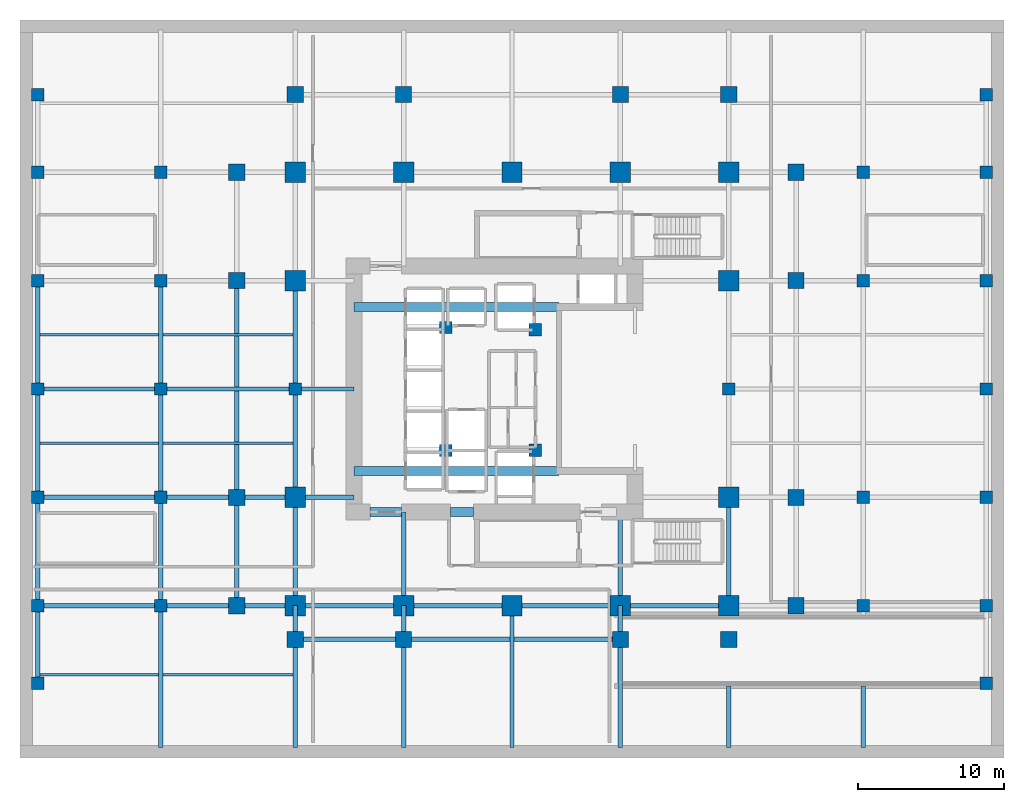
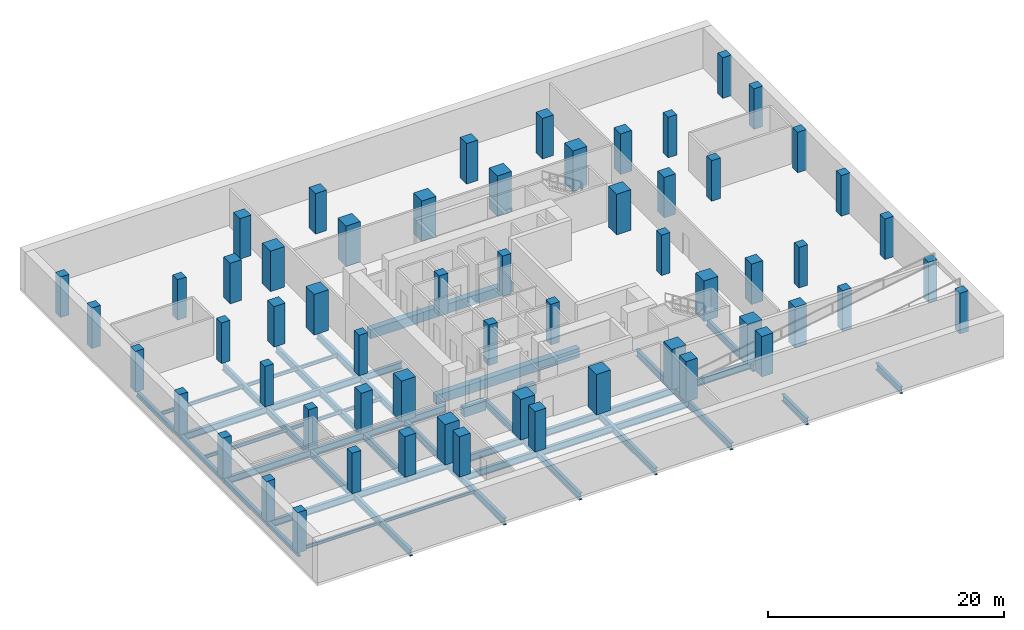
# One storey, part 1 of 7: 59 columns, 51 beams.
"""IFC4 building model written with IfcOpenShell, lengths in metres."""

import ifcopenshell
import ifcopenshell.guid

model = None  # the IFC model being written
_history = None  # IfcOwnerHistory: only IFC2X3 demands one
_inside = {}  # id of a spatial element -> (the spatial element, [elements in it])
_under = {}  # id of a project, library or spatial element -> (it, [spatial elements below it])
_declared = {}  # id of a project -> (the project, [libraries it declares])
_typed = {}  # id of a type object -> (the type object, [elements of that type])
_made_of = {}  # id of a material, layer set ... -> (it, [elements and type objects made of it])


def new_model(schema):
    """Start an empty IFC model of exactly this schema.

    Asked for "IFC4X3", IfcOpenShell would pick the latest addendum, in which some entities
    have other attributes; the version numbers below select the first issue.
    IFC2X3 requires an IfcOwnerHistory on every rooted entity: one is made here for all.
    """
    global model, _history
    if schema == "IFC4X3":
        model = ifcopenshell.file(schema_version=(4, 3, 0, 0))
    else:
        model = ifcopenshell.file(schema=schema)
    _inside.clear()
    _under.clear()
    _declared.clear()
    _typed.clear()
    _made_of.clear()
    _history = None
    if model.schema == "IFC2X3":
        org = make("IfcOrganization", Name="unknown")
        user = make(
            "IfcPersonAndOrganization",
            ThePerson=make("IfcPerson", FamilyName="unknown"),
            TheOrganization=org,
        )
        app = make(
            "IfcApplication",
            ApplicationDeveloper=org,
            Version="unknown",
            ApplicationFullName="unknown",
            ApplicationIdentifier="unknown",
        )
        _history = make(
            "IfcOwnerHistory",
            OwningUser=user,
            OwningApplication=app,
            ChangeAction="ADDED",
            CreationDate=0,
        )
    return model


def make(cls, **values):
    """One entity of the class cls with the attributes given. An attribute that is None is left unset."""
    return model.create_entity(
        cls, **{name: value for name, value in values.items() if value is not None}
    )


def rooted(cls, **values):
    """An entity with a GlobalId (a new one), such as an element, a storey or a relation."""
    return make(cls, GlobalId=ifcopenshell.guid.new(), OwnerHistory=_history, **values)


def si_unit(unit_type, name, prefix=None):
    """IfcSIUnit, for example si_unit("LENGTHUNIT", "METRE", prefix="MILLI")."""
    return make("IfcSIUnit", UnitType=unit_type, Prefix=prefix, Name=name)


def assignment(units):
    """IfcUnitAssignment: the units of a project."""
    return None if units is None else make("IfcUnitAssignment", Units=units)


def point(xyz):
    """IfcCartesianPoint."""
    return None if xyz is None else make("IfcCartesianPoint", Coordinates=xyz)


def direction(xyz):
    """IfcDirection."""
    return None if xyz is None else make("IfcDirection", DirectionRatios=xyz)


def frame(location, z_axis=None, x_axis=None):
    """IfcAxis2Placement3D, a coordinate frame: its origin and axes. An axis left out is left unset."""
    return make(
        "IfcAxis2Placement3D",
        Location=point(location),
        Axis=direction(z_axis),
        RefDirection=direction(x_axis),
    )


def frame_2d(location, x_axis=None):
    """IfcAxis2Placement2D, a coordinate frame in the plane: its origin and x axis."""
    return make(
        "IfcAxis2Placement2D", Location=point(location), RefDirection=direction(x_axis)
    )


def origin():
    """The frame at (0, 0, 0) with its axes left unset."""
    return frame((0.0, 0.0, 0.0))


def origin_2d():
    """The frame at (0, 0) in the plane with its x axis left unset."""
    return frame_2d((0.0, 0.0))


def place(relative_to, where):
    """IfcLocalPlacement: puts the frame where relative to a parent placement (None: the world)."""
    return make(
        "IfcLocalPlacement", PlacementRelTo=relative_to, RelativePlacement=where
    )


def context(
    kind, dimensions, precision=None, world=None, true_north=None, identifier=None
):
    """IfcGeometricRepresentationContext, for example the 3D "Model" context."""
    return make(
        "IfcGeometricRepresentationContext",
        ContextIdentifier=identifier,
        ContextType=kind,
        CoordinateSpaceDimension=dimensions,
        Precision=precision,
        WorldCoordinateSystem=world,
        TrueNorth=true_north,
    )


def subcontext(parent, identifier, kind, view, scale=None):
    """IfcGeometricRepresentationSubContext, for example "Body" below "Model"."""
    return make(
        "IfcGeometricRepresentationSubContext",
        ContextIdentifier=identifier,
        ContextType=kind,
        ParentContext=parent,
        TargetScale=scale,
        TargetView=view,
    )


def project(units=None, contexts=None):
    """IfcProject with its units and contexts."""
    return rooted(
        "IfcProject",
        Name="project",
        RepresentationContexts=contexts,
        UnitsInContext=assignment(units),
    )


def spatial(cls, under=None, at=None, **own):
    """A site, building, storey or space (cls), placed at a placement, below another one or the project."""
    s = rooted(cls, ObjectPlacement=at, **own)
    if under is not None:
        _under.setdefault(under.id(), (under, []))[1].append(s)
    return s


def profile(cls, at=None, kind="AREA", **sizes):
    """A parametric profile (cls). Its sizes go by their IFC names, for example OverallWidth=200.0."""
    return make(cls, ProfileType=kind, Position=at, **sizes)


def rectangle(**sizes):
    """IfcRectangleProfileDef."""
    return profile("IfcRectangleProfileDef", **sizes)


def i_section(**sizes):
    """IfcIShapeProfileDef."""
    return profile("IfcIShapeProfileDef", **sizes)


def extrude(swept, where, along, depth):
    """IfcExtrudedAreaSolid: the profile swept, set in the frame where, extruded along a direction by depth."""
    return make(
        "IfcExtrudedAreaSolid",
        SweptArea=swept,
        Position=where,
        ExtrudedDirection=direction(along),
        Depth=depth,
    )


def shape(context_of_items, identifier, shape_type, items):
    """IfcShapeRepresentation: the items that make up one representation, for example the "Body"."""
    return make(
        "IfcShapeRepresentation",
        ContextOfItems=context_of_items,
        RepresentationIdentifier=identifier,
        RepresentationType=shape_type,
        Items=items,
    )


def material(Name=None, Category=None):
    """IfcMaterial."""
    return make("IfcMaterial", Name=Name, Category=Category)


def material_profile(
    of_material, cross_section, Name=None, Category=None, Priority=None
):
    """IfcMaterialProfile: a cross section and its material."""
    return make(
        "IfcMaterialProfile",
        Name=Name,
        Material=of_material,
        Profile=cross_section,
        Priority=Priority,
        Category=Category,
    )


def profile_set(profiles, Name=None, composite=None):
    """IfcMaterialProfileSet."""
    return make(
        "IfcMaterialProfileSet",
        Name=Name,
        MaterialProfiles=profiles,
        CompositeProfile=composite,
    )


def made_of(thing, what):
    """Note that an element or type object is made of a material, layer set ...; save() writes the relation."""
    if what is not None:
        _made_of.setdefault(what.id(), (what, []))[1].append(thing)
    return thing


def type_object(cls, material=None, **own):
    """A type object (cls), such as IfcWallType, which elements share."""
    return made_of(rooted(cls, **own), material)


def element(
    cls,
    number,
    at=None,
    inside=None,
    cuts=None,
    type_object=None,
    material=None,
    context=None,
    identifier="Body",
    shape_type=None,
    held_by="IfcProductDefinitionShape",
    body=None,
    shapes=None,
    **own,
):
    """One element of the class cls, such as IfcWall. Its Tag is "e" and its number.

    at: its placement. inside: the storey or other place that contains it. cuts: it is an
    opening in that element (IfcRelVoidsElement). A single representation is given by context,
    identifier, shape_type and body (its items); several are given by shapes. held_by: the class
    of the entity that holds the representations. save() writes the other relations.
    """
    e = rooted(cls, Tag="e%d" % number, ObjectPlacement=at, **own)
    if body is not None:
        shapes = [shape(context, identifier, shape_type, body)]
    if shapes is not None:
        e.Representation = make(held_by, Representations=shapes)
    if inside is not None:
        _inside.setdefault(inside.id(), (inside, []))[1].append(e)
    if cuts is not None:
        rooted(
            "IfcRelVoidsElement", RelatingBuildingElement=cuts, RelatedOpeningElement=e
        )
    if type_object is not None:
        _typed.setdefault(type_object.id(), (type_object, []))[1].append(e)
    return made_of(e, material)


def aggregate(whole, parts):
    """IfcRelAggregates: a whole, such as a stair, and the parts it consists of."""
    return rooted("IfcRelAggregates", RelatingObject=whole, RelatedObjects=parts)


def save(model, path):
    """Write the relations noted so far, then the file.

    IfcRelAggregates (storeys below a building ...), IfcRelContainedInSpatialStructure (elements
    in a storey), IfcRelDefinesByType, IfcRelAssociatesMaterial and IfcRelDeclares: one each for
    every whole, place, type object, material and project.
    """
    for whole, parts in _under.values():
        aggregate(whole, parts)
    for where, things in _inside.values():
        rooted(
            "IfcRelContainedInSpatialStructure",
            RelatedElements=things,
            RelatingStructure=where,
        )
    for kind, things in _typed.values():
        rooted("IfcRelDefinesByType", RelatedObjects=things, RelatingType=kind)
    for what, things in _made_of.values():
        rooted("IfcRelAssociatesMaterial", RelatedObjects=things, RelatingMaterial=what)
    for by, libraries in _declared.values():
        rooted("IfcRelDeclares", RelatingContext=by, RelatedDefinitions=libraries)
    model.write(path)


model = new_model("IFC4")

# Units and contexts
model_context = context("Model", 3, precision=1e-05, world=origin(), true_north=direction((0.0, 1.0)))
body_context = subcontext(model_context, "Body", "Model", "MODEL_VIEW")
ifc_project = project(units=[si_unit("LENGTHUNIT", "METRE"), si_unit("AREAUNIT", "SQUARE_METRE"), si_unit("VOLUMEUNIT", "CUBIC_METRE"), si_unit("PLANEANGLEUNIT", "RADIAN"), si_unit("MASSUNIT", "GRAM", prefix="KILO")], contexts=[model_context])

# Site, building, storey
site_placement = place(None, origin())
site = spatial("IfcSite", under=ifc_project, at=site_placement, CompositionType="ELEMENT")
building_placement = place(site_placement, origin())
building = spatial("IfcBuilding", under=site, at=building_placement, Name="Khorvyn Point Tower", CompositionType="ELEMENT")
storey_placement = place(building_placement, frame((0.0, 0.0, -4.199951171875)))
storey = spatial("IfcBuildingStorey", under=building, at=storey_placement, Name="B1", CompositionType="ELEMENT", Elevation=-4.199951171875)

# Columns
ifc_material_1 = material(Name="Concrete C40/50", Category="concrete")
ifc_material_profile_1 = material_profile(ifc_material_1, rectangle(XDim=0.85009765625, YDim=0.85009765625, at=origin_2d()))
ifc_profile_set_1 = profile_set([ifc_material_profile_1], Name="Concrete C40/50 RC850x850")
column_type_1 = type_object("IfcColumnType", Name="Concrete C40/50 Column RC850x850", PredefinedType="COLUMN", material=ifc_profile_set_1)
for number, where, z_axis, x_axis, name in (
    (1, (-4.52001953125, -4.199951171875, 0.0), (0.0, 0.0, 1.0), (1.0, 0.0, 0.0), "B1 Crown Core Spine Column 1"),
    (2, (1.580078125, -4.179931640625, 0.0), (0.0, 0.0, 1.0), (1.0, 0.0, 0.0), "B1 Crown Core Spine Column 2"),
    (3, (1.580078125, 4.050048828125, 0.0), (0.0, 0.0, 1.0), (1.0, 0.0, 0.0), "B1 Crown Core Spine Column 3"),
    (4, (-4.52001953125, 4.199951171875, 0.0), (0.0, 0.0, 1.0), (1.0, 0.0, 0.0), "B1 Crown Core Spine Column 4"),
    (5, (-32.39990234375, -14.800048828125, 0.0), (0.0, 0.0, 1.0), (1.0, 0.0, 0.0), "PC-B1--324--148"),
    (6, (-32.39990234375, -7.39990234375, 0.0), (0.0, 0.0, 1.0), (1.0, 0.0, 0.0), "PC-B1--324--074"),
    (7, (-32.39990234375, 0.0, 0.0), (0.0, 0.0, 1.0), (1.0, 0.0, 0.0), "PC-B1--324-+000"),
    (8, (-32.39990234375, 7.39990234375, 0.0), (0.0, 0.0, 1.0), (1.0, 0.0, 0.0), "PC-B1--324-+074"),
    (9, (-32.39990234375, 14.800048828125, 0.0), (0.0, 0.0, 1.0), (1.0, 0.0, 0.0), "PC-B1--324-+148"),
    (10, (-24.0, -14.800048828125, 0.0), (0.0, 0.0, 1.0), (1.0, 0.0, 0.0), "PC-B1--240--148"),
    (11, (-24.0, -7.39990234375, 0.0), (0.0, 0.0, 1.0), (1.0, 0.0, 0.0), "PC-B1--240--074"),
    (12, (-24.0, 0.0, 0.0), (0.0, 0.0, 1.0), (1.0, 0.0, 0.0), "PC-B1--240-+000"),
    (13, (-24.0, 7.39990234375, 0.0), (0.0, 0.0, 1.0), (1.0, 0.0, 0.0), "PC-B1--240-+074"),
    (14, (-24.0, 14.800048828125, 0.0), (0.0, 0.0, 1.0), (1.0, 0.0, 0.0), "PC-B1--240-+148"),
    (15, (-14.800048828125, 0.0, 0.0), (0.0, 0.0, 1.0), (1.0, 0.0, 0.0), "PC-B1--148-+000"),
    (16, (14.800048828125, 0.0, 0.0), (0.0, 0.0, 1.0), (1.0, 0.0, 0.0), "PC-B1-+148-+000"),
    (17, (24.0, -14.800048828125, 0.0), (0.0, 0.0, 1.0), (1.0, 0.0, 0.0), "PC-B1-+240--148"),
    (18, (24.0, -7.39990234375, 0.0), (0.0, 0.0, 1.0), (1.0, 0.0, 0.0), "PC-B1-+240--074"),
    (19, (24.0, 7.39990234375, 0.0), (0.0, 0.0, 1.0), (1.0, 0.0, 0.0), "PC-B1-+240-+074"),
    (20, (24.0, 14.800048828125, 0.0), (0.0, 0.0, 1.0), (1.0, 0.0, 0.0), "PC-B1-+240-+148"),
    (21, (32.39990234375, -14.800048828125, 0.0), (0.0, 0.0, 1.0), (1.0, 0.0, 0.0), "PC-B1-+324--148"),
    (22, (32.39990234375, -7.39990234375, 0.0), (0.0, 0.0, 1.0), (1.0, 0.0, 0.0), "PC-B1-+324--074"),
    (23, (32.39990234375, 0.0, 0.0), (0.0, 0.0, 1.0), (1.0, 0.0, 0.0), "PC-B1-+324-+000"),
    (24, (32.39990234375, 7.39990234375, 0.0), (0.0, 0.0, 1.0), (1.0, 0.0, 0.0), "PC-B1-+324-+074"),
    (25, (32.39990234375, 14.800048828125, 0.0), (0.0, 0.0, 1.0), (1.0, 0.0, 0.0), "PC-B1-+324-+148"),
    (26, (-32.39990234375, -20.10009765625, 0.0), (0.0, 0.0, 1.0), (1.0, 0.0, 0.0), "PCR-B1--32--20"),
    (27, (-32.39990234375, 20.10009765625, 0.0), (0.0, 0.0, 1.0), (1.0, 0.0, 0.0), "PCR-B1--32-+20"),
    (28, (32.39990234375, -20.10009765625, 0.0), (0.0, 0.0, 1.0), (1.0, 0.0, 0.0), "PCR-B1-+32--20"),
    (29, (32.39990234375, 20.10009765625, 0.0), (0.0, 0.0, 1.0), (1.0, 0.0, 0.0), "PCR-B1-+32-+20"),
):
    element("IfcColumn", number, at=place(storey_placement, frame(where, z_axis=z_axis, x_axis=x_axis)), inside=storey, type_object=column_type_1, Name=name, PredefinedType="COLUMN", context=body_context, shape_type="SweptSolid", body=[
        extrude(rectangle(XDim=0.85009765625, YDim=0.85009765625, at=origin_2d()), origin(), (0.0, 0.0, 1.0), 4.199951171875),
    ])
ifc_material_2 = material(Name="Concrete C45/55", Category="concrete")
ifc_material_profile_2 = material_profile(ifc_material_2, rectangle(XDim=1.10009765625, YDim=1.10009765625, at=origin_2d()))
ifc_profile_set_2 = profile_set([ifc_material_profile_2], Name="Concrete C45/55 RC1100x1100")
column_type_2 = type_object("IfcColumnType", Name="Concrete C45/55 Column RC1100x1100", PredefinedType="COLUMN", material=ifc_profile_set_2)
for number, where, z_axis, x_axis, name in (
    (30, (-18.800048828125, -14.800048828125, 0.0), (0.0, 0.0, 1.0), (1.0, 0.0, 0.0), "B1 Intermediate Column ICW--14"),
    (31, (-18.800048828125, -7.39990234375, 0.0), (0.0, 0.0, 1.0), (1.0, 0.0, 0.0), "B1 Intermediate Column ICW--7"),
    (32, (-18.800048828125, 7.39990234375, 0.0), (0.0, 0.0, 1.0), (1.0, 0.0, 0.0), "B1 Intermediate Column ICW-7"),
    (33, (-18.800048828125, 14.800048828125, 0.0), (0.0, 0.0, 1.0), (1.0, 0.0, 0.0), "B1 Intermediate Column ICW-14"),
    (34, (19.39990234375, -14.800048828125, 0.0), (0.0, 0.0, 1.0), (1.0, 0.0, 0.0), "B1 Intermediate Column ICE--14"),
    (35, (19.39990234375, -7.39990234375, 0.0), (0.0, 0.0, 1.0), (1.0, 0.0, 0.0), "B1 Intermediate Column ICE--7"),
    (36, (19.39990234375, 7.39990234375, 0.0), (0.0, 0.0, 1.0), (1.0, 0.0, 0.0), "B1 Intermediate Column ICE-7"),
    (37, (19.39990234375, 14.800048828125, 0.0), (0.0, 0.0, 1.0), (1.0, 0.0, 0.0), "B1 Intermediate Column ICE-14"),
    (38, (-14.800048828125, -17.10009765625, 0.0), (0.0, 0.0, 1.0), (1.0, 0.0, 0.0), "B1 Intermediate Column ICS--14"),
    (39, (-7.39990234375, -17.10009765625, 0.0), (0.0, 0.0, 1.0), (1.0, 0.0, 0.0), "B1 Intermediate Column ICS--7"),
    (40, (7.39990234375, -17.10009765625, 0.0), (0.0, 0.0, 1.0), (1.0, 0.0, 0.0), "B1 Intermediate Column ICS-7"),
    (41, (14.800048828125, -17.10009765625, 0.0), (0.0, 0.0, 1.0), (1.0, 0.0, 0.0), "B1 Intermediate Column ICS-14"),
    (42, (-14.800048828125, 20.10009765625, 0.0), (0.0, 0.0, 1.0), (1.0, 0.0, 0.0), "B1 Intermediate Column ICN--14"),
    (43, (-7.39990234375, 20.10009765625, 0.0), (0.0, 0.0, 1.0), (1.0, 0.0, 0.0), "B1 Intermediate Column ICN--7"),
    (44, (7.39990234375, 20.10009765625, 0.0), (0.0, 0.0, 1.0), (1.0, 0.0, 0.0), "B1 Intermediate Column ICN-7"),
    (45, (14.800048828125, 20.10009765625, 0.0), (0.0, 0.0, 1.0), (1.0, 0.0, 0.0), "B1 Intermediate Column ICN-14"),
):
    element("IfcColumn", number, at=place(storey_placement, frame(where, z_axis=z_axis, x_axis=x_axis)), inside=storey, type_object=column_type_2, Name=name, PredefinedType="COLUMN", context=body_context, shape_type="SweptSolid", body=[
        extrude(rectangle(XDim=1.10009765625, YDim=1.10009765625, at=origin_2d()), origin(), (0.0, 0.0, 1.0), 4.199951171875),
    ])
ifc_material_3 = material(Name="Concrete C50/60", Category="concrete")
ifc_material_profile_3 = material_profile(ifc_material_3, rectangle(XDim=1.39990234375, YDim=1.39990234375, at=origin_2d()))
ifc_profile_set_3 = profile_set([ifc_material_profile_3], Name="Concrete C50/60 RC1400x1400")
column_type_3 = type_object("IfcColumnType", Name="Concrete C50/60 Column RC1400x1400", PredefinedType="COLUMN", material=ifc_profile_set_3)
for number, where, z_axis, x_axis, name in (
    (46, (-14.800048828125, -14.800048828125, 0.0), (0.0, 0.0, 1.0), (1.0, 0.0, 0.0), "B1 Mega-Column MC-01"),
    (47, (-7.39990234375, -14.800048828125, 0.0), (0.0, 0.0, 1.0), (1.0, 0.0, 0.0), "B1 Mega-Column MC-02"),
    (48, (0.0, -14.800048828125, 0.0), (0.0, 0.0, 1.0), (1.0, 0.0, 0.0), "B1 Mega-Column MC-03"),
    (49, (7.39990234375, -14.800048828125, 0.0), (0.0, 0.0, 1.0), (1.0, 0.0, 0.0), "B1 Mega-Column MC-04"),
    (50, (14.800048828125, -14.800048828125, 0.0), (0.0, 0.0, 1.0), (1.0, 0.0, 0.0), "B1 Mega-Column MC-05"),
    (51, (-14.800048828125, 14.800048828125, 0.0), (0.0, 0.0, 1.0), (1.0, 0.0, 0.0), "B1 Mega-Column MC-06"),
    (52, (-7.39990234375, 14.800048828125, 0.0), (0.0, 0.0, 1.0), (1.0, 0.0, 0.0), "B1 Mega-Column MC-07"),
    (53, (0.0, 14.800048828125, 0.0), (0.0, 0.0, 1.0), (1.0, 0.0, 0.0), "B1 Mega-Column MC-08"),
    (54, (7.39990234375, 14.800048828125, 0.0), (0.0, 0.0, 1.0), (1.0, 0.0, 0.0), "B1 Mega-Column MC-09"),
    (55, (14.800048828125, 14.800048828125, 0.0), (0.0, 0.0, 1.0), (1.0, 0.0, 0.0), "B1 Mega-Column MC-10"),
    (56, (-14.800048828125, -7.39990234375, 0.0), (0.0, 0.0, 1.0), (1.0, 0.0, 0.0), "B1 Mega-Column MC-11"),
    (57, (-14.800048828125, 7.39990234375, 0.0), (0.0, 0.0, 1.0), (1.0, 0.0, 0.0), "B1 Mega-Column MC-12"),
    (58, (14.800048828125, -7.39990234375, 0.0), (0.0, 0.0, 1.0), (1.0, 0.0, 0.0), "B1 Mega-Column MC-13"),
    (59, (14.800048828125, 7.39990234375, 0.0), (0.0, 0.0, 1.0), (1.0, 0.0, 0.0), "B1 Mega-Column MC-14"),
):
    element("IfcColumn", number, at=place(storey_placement, frame(where, z_axis=z_axis, x_axis=x_axis)), inside=storey, type_object=column_type_3, Name=name, PredefinedType="COLUMN", context=body_context, shape_type="SweptSolid", body=[
        extrude(rectangle(XDim=1.39990234375, YDim=1.39990234375, at=origin_2d()), origin(), (0.0, 0.0, 1.0), 4.199951171875),
    ])

# Beams
ifc_material_profile_4 = material_profile(ifc_material_3, rectangle(XDim=0.60009765625, YDim=0.949951171875, at=origin_2d()))
ifc_profile_set_4 = profile_set([ifc_material_profile_4], Name="Concrete C50/60 RC600x950")
beam_type_1 = type_object("IfcBeamType", Name="Concrete C50/60 Beam RC600x950", PredefinedType="BEAM", material=ifc_profile_set_4)
for number, where, z_axis, x_axis, name in (
    (60, (-10.800048828125, -5.60009765625, -0.735107421875), (1.0, 0.0, 0.0), (0.0, 1.0, 0.0), "B1 Core Internal Tie Girder S"),
    (61, (-10.800048828125, 5.60009765625, -0.735107421875), (1.0, 0.0, 0.0), (0.0, 1.0, 0.0), "B1 Core Internal Tie Girder N"),
):
    element("IfcBeam", number, at=place(storey_placement, frame(where, z_axis=z_axis, x_axis=x_axis)), inside=storey, type_object=beam_type_1, Name=name, PredefinedType="BEAM", context=body_context, shape_type="SweptSolid", body=[
        extrude(rectangle(XDim=0.60009765625, YDim=0.949951171875, at=origin_2d()), origin(), (0.0, 0.0, 1.0), 14.02001953125),
    ])
beam_1_placement = place(storey_placement, frame((-9.699951171875, -8.39990234375, -0.735107421875), z_axis=(1.0, 0.0, 0.0), x_axis=(0.0, 1.0, 0.0)))
element("IfcBeam", 62, at=beam_1_placement, inside=storey, type_object=beam_type_1, Name="B1 Core Southwest Portal Coupling Beam", PredefinedType="BEAM", context=body_context, shape_type="SweptSolid", body=[
    extrude(rectangle(XDim=0.60009765625, YDim=0.949951171875, at=origin_2d()), origin(), (0.0, 0.0, 1.0), 2.14990234375),
])
beam_2_placement = place(storey_placement, frame((-4.199951171875, -8.39990234375, -0.735107421875), z_axis=(1.0, 0.0, 0.0), x_axis=(0.0, 1.0, 0.0)))
element("IfcBeam", 63, at=beam_2_placement, inside=storey, type_object=beam_type_1, Name="B1 Core Shuttle Portal Coupling Beam", PredefinedType="BEAM", context=body_context, shape_type="SweptSolid", body=[
    extrude(rectangle(XDim=0.60009765625, YDim=0.949951171875, at=origin_2d()), origin(), (0.0, 0.0, 1.0), 1.579833984375),
])
ifc_material_4 = material(Name="Steel S355", Category="steel")
ifc_material_profile_5 = material_profile(ifc_material_4, i_section(OverallWidth=0.300048828125, OverallDepth=0.699951171875, WebThickness=0.012939453125, FlangeThickness=0.02392578125, at=origin_2d()))
ifc_profile_set_5 = profile_set([ifc_material_profile_5], Name="Steel S355 H700x300x13x24")
beam_type_2 = type_object("IfcBeamType", Name="Steel S355 Beam H700x300x13x24", PredefinedType="BEAM", material=ifc_profile_set_5)
beam_3_placement = place(storey_placement, frame((-32.39990234375, -14.800048828125, -0.610107421875), z_axis=(1.0, 0.0, 0.0), x_axis=(0.0, 1.0, 0.0)))
element("IfcBeam", 64, at=beam_3_placement, inside=storey, type_object=beam_type_2, Name="Beam", PredefinedType="BEAM", context=body_context, shape_type="SweptSolid", body=[
    extrude(i_section(OverallWidth=0.300048828125, OverallDepth=0.699951171875, WebThickness=0.012939453125, FlangeThickness=0.02392578125, at=origin_2d()), origin(), (0.0, 0.0, 1.0), 8.39990234375),
])
beam_4_placement = place(storey_placement, frame((-24.0, -14.800048828125, -0.610107421875), z_axis=(1.0, 0.0, 0.0), x_axis=(0.0, 1.0, 0.0)))
element("IfcBeam", 65, at=beam_4_placement, inside=storey, type_object=beam_type_2, Name="Beam", PredefinedType="BEAM", context=body_context, shape_type="SweptSolid", body=[
    extrude(i_section(OverallWidth=0.300048828125, OverallDepth=0.699951171875, WebThickness=0.012939453125, FlangeThickness=0.02392578125, at=origin_2d()), origin(), (0.0, 0.0, 1.0), 5.199951171875),
])
beam_5_placement = place(storey_placement, frame((-18.800048828125, -14.800048828125, -0.610107421875), z_axis=(1.0, 0.0, 0.0), x_axis=(0.0, 1.0, 0.0)))
element("IfcBeam", 66, at=beam_5_placement, inside=storey, type_object=beam_type_2, Name="Beam", PredefinedType="BEAM", context=body_context, shape_type="SweptSolid", body=[
    extrude(i_section(OverallWidth=0.300048828125, OverallDepth=0.699951171875, WebThickness=0.012939453125, FlangeThickness=0.02392578125, at=origin_2d()), origin(), (0.0, 0.0, 1.0), 4.0),
])
beam_6_placement = place(storey_placement, frame((-14.800048828125, -14.800048828125, -0.610107421875), z_axis=(1.0, 0.0, 0.0), x_axis=(0.0, 1.0, 0.0)))
element("IfcBeam", 67, at=beam_6_placement, inside=storey, type_object=beam_type_2, Name="Beam", PredefinedType="BEAM", context=body_context, shape_type="SweptSolid", body=[
    extrude(i_section(OverallWidth=0.300048828125, OverallDepth=0.699951171875, WebThickness=0.012939453125, FlangeThickness=0.02392578125, at=origin_2d()), origin(), (0.0, 0.0, 1.0), 7.400146484375),
])
for number, where, z_axis, x_axis, name in (
    (68, (-7.39990234375, -14.800048828125, -0.610107421875), (1.0, 0.0, 0.0), (0.0, 1.0, 0.0), "Beam"),
    (69, (0.0, -14.800048828125, -0.610107421875), (1.0, 0.0, 0.0), (0.0, 1.0, 0.0), "Beam"),
):
    element("IfcBeam", number, at=place(storey_placement, frame(where, z_axis=z_axis, x_axis=x_axis)), inside=storey, type_object=beam_type_2, Name=name, PredefinedType="BEAM", context=body_context, shape_type="SweptSolid", body=[
        extrude(i_section(OverallWidth=0.300048828125, OverallDepth=0.699951171875, WebThickness=0.012939453125, FlangeThickness=0.02392578125, at=origin_2d()), origin(), (0.0, 0.0, 1.0), 7.39990234375),
    ])
beam_7_placement = place(storey_placement, frame((7.39990234375, -14.800048828125, -0.610107421875), z_axis=(1.0, 0.0, 0.0), x_axis=(0.0, 1.0, 0.0)))
element("IfcBeam", 70, at=beam_7_placement, inside=storey, type_object=beam_type_2, Name="Beam", PredefinedType="BEAM", context=body_context, shape_type="SweptSolid", body=[
    extrude(i_section(OverallWidth=0.300048828125, OverallDepth=0.699951171875, WebThickness=0.012939453125, FlangeThickness=0.02392578125, at=origin_2d()), origin(), (0.0, 0.0, 1.0), 7.400146484375),
])
beam_8_placement = place(storey_placement, frame((-32.39990234375, -7.39990234375, -0.610107421875), z_axis=(1.0, 0.0, 0.0), x_axis=(0.0, 1.0, 0.0)))
element("IfcBeam", 71, at=beam_8_placement, inside=storey, type_object=beam_type_2, Name="Beam", PredefinedType="BEAM", context=body_context, shape_type="SweptSolid", body=[
    extrude(i_section(OverallWidth=0.300048828125, OverallDepth=0.699951171875, WebThickness=0.012939453125, FlangeThickness=0.02392578125, at=origin_2d()), origin(), (0.0, 0.0, 1.0), 8.39990234375),
])
beam_9_placement = place(storey_placement, frame((-24.0, -7.39990234375, -0.610107421875), z_axis=(1.0, 0.0, 0.0), x_axis=(0.0, 1.0, 0.0)))
element("IfcBeam", 72, at=beam_9_placement, inside=storey, type_object=beam_type_2, Name="Beam", PredefinedType="BEAM", context=body_context, shape_type="SweptSolid", body=[
    extrude(i_section(OverallWidth=0.300048828125, OverallDepth=0.699951171875, WebThickness=0.012939453125, FlangeThickness=0.02392578125, at=origin_2d()), origin(), (0.0, 0.0, 1.0), 5.199951171875),
])
for number, where, z_axis, x_axis, name in (
    (73, (-18.800048828125, -7.39990234375, -0.610107421875), (1.0, 0.0, 0.0), (0.0, 1.0, 0.0), "Beam"),
    (74, (-14.800048828125, -7.39990234375, -0.610107421875), (1.0, 0.0, 0.0), (0.0, 1.0, 0.0), "Beam"),
):
    element("IfcBeam", number, at=place(storey_placement, frame(where, z_axis=z_axis, x_axis=x_axis)), inside=storey, type_object=beam_type_2, Name=name, PredefinedType="BEAM", context=body_context, shape_type="SweptSolid", body=[
        extrude(i_section(OverallWidth=0.300048828125, OverallDepth=0.699951171875, WebThickness=0.012939453125, FlangeThickness=0.02392578125, at=origin_2d()), origin(), (0.0, 0.0, 1.0), 4.0),
    ])
beam_10_placement = place(storey_placement, frame((-32.39990234375, 0.0, -0.610107421875), z_axis=(1.0, 0.0, 0.0), x_axis=(0.0, 1.0, 0.0)))
element("IfcBeam", 75, at=beam_10_placement, inside=storey, type_object=beam_type_2, Name="Beam", PredefinedType="BEAM", context=body_context, shape_type="SweptSolid", body=[
    extrude(i_section(OverallWidth=0.300048828125, OverallDepth=0.699951171875, WebThickness=0.012939453125, FlangeThickness=0.02392578125, at=origin_2d()), origin(), (0.0, 0.0, 1.0), 8.39990234375),
])
beam_11_placement = place(storey_placement, frame((-24.0, 0.0, -0.610107421875), z_axis=(1.0, 0.0, 0.0), x_axis=(0.0, 1.0, 0.0)))
element("IfcBeam", 76, at=beam_11_placement, inside=storey, type_object=beam_type_2, Name="Beam", PredefinedType="BEAM", context=body_context, shape_type="SweptSolid", body=[
    extrude(i_section(OverallWidth=0.300048828125, OverallDepth=0.699951171875, WebThickness=0.012939453125, FlangeThickness=0.02392578125, at=origin_2d()), origin(), (0.0, 0.0, 1.0), 9.199951171875),
])
beam_12_placement = place(storey_placement, frame((-14.800048828125, 0.0, -0.610107421875), z_axis=(1.0, 0.0, 0.0), x_axis=(0.0, 1.0, 0.0)))
element("IfcBeam", 77, at=beam_12_placement, inside=storey, type_object=beam_type_2, Name="Beam", PredefinedType="BEAM", context=body_context, shape_type="SweptSolid", body=[
    extrude(i_section(OverallWidth=0.300048828125, OverallDepth=0.699951171875, WebThickness=0.012939453125, FlangeThickness=0.02392578125, at=origin_2d()), origin(), (0.0, 0.0, 1.0), 4.0),
])
beam_13_placement = place(storey_placement, frame((-14.800048828125, -17.10009765625, -0.610107421875), z_axis=(1.0, 0.0, 0.0), x_axis=(0.0, 1.0, 0.0)))
element("IfcBeam", 78, at=beam_13_placement, inside=storey, type_object=beam_type_2, Name="Beam", PredefinedType="BEAM", context=body_context, shape_type="SweptSolid", body=[
    extrude(i_section(OverallWidth=0.300048828125, OverallDepth=0.699951171875, WebThickness=0.012939453125, FlangeThickness=0.02392578125, at=origin_2d()), origin(), (0.0, 0.0, 1.0), 7.400146484375),
])
beam_14_placement = place(storey_placement, frame((-7.39990234375, -17.10009765625, -0.610107421875), z_axis=(1.0, 0.0, 0.0), x_axis=(0.0, 1.0, 0.0)))
element("IfcBeam", 79, at=beam_14_placement, inside=storey, type_object=beam_type_2, Name="Beam", PredefinedType="BEAM", context=body_context, shape_type="SweptSolid", body=[
    extrude(i_section(OverallWidth=0.300048828125, OverallDepth=0.699951171875, WebThickness=0.012939453125, FlangeThickness=0.02392578125, at=origin_2d()), origin(), (0.0, 0.0, 1.0), 14.7998046875),
])
beam_15_placement = place(storey_placement, frame((-24.0, -24.5, -0.610107421875), z_axis=(0.0, 1.0, 0.0), x_axis=(-1.0, 0.0, 0.0)))
element("IfcBeam", 80, at=beam_15_placement, inside=storey, type_object=beam_type_2, Name="Beam", PredefinedType="BEAM", context=body_context, shape_type="SweptSolid", body=[
    extrude(i_section(OverallWidth=0.300048828125, OverallDepth=0.699951171875, WebThickness=0.012939453125, FlangeThickness=0.02392578125, at=origin_2d()), origin(), (0.0, 0.0, 1.0), 9.699951171875),
])
beam_16_placement = place(storey_placement, frame((-24.0, -14.800048828125, -0.610107421875), z_axis=(0.0, 1.0, 0.0), x_axis=(-1.0, 0.0, 0.0)))
element("IfcBeam", 81, at=beam_16_placement, inside=storey, type_object=beam_type_2, Name="Beam", PredefinedType="BEAM", context=body_context, shape_type="SweptSolid", body=[
    extrude(i_section(OverallWidth=0.300048828125, OverallDepth=0.699951171875, WebThickness=0.012939453125, FlangeThickness=0.02392578125, at=origin_2d()), origin(), (0.0, 0.0, 1.0), 7.400146484375),
])
for number, where, z_axis, x_axis, name in (
    (82, (-24.0, -7.39990234375, -0.610107421875), (0.0, 1.0, 0.0), (-1.0, 0.0, 0.0), "Beam"),
    (83, (-24.0, 0.0, -0.610107421875), (0.0, 1.0, 0.0), (-1.0, 0.0, 0.0), "Beam"),
    (84, (-14.800048828125, -24.5, -0.610107421875), (0.0, 1.0, 0.0), (-1.0, 0.0, 0.0), "Beam"),
):
    element("IfcBeam", number, at=place(storey_placement, frame(where, z_axis=z_axis, x_axis=x_axis)), inside=storey, type_object=beam_type_2, Name=name, PredefinedType="BEAM", context=body_context, shape_type="SweptSolid", body=[
        extrude(i_section(OverallWidth=0.300048828125, OverallDepth=0.699951171875, WebThickness=0.012939453125, FlangeThickness=0.02392578125, at=origin_2d()), origin(), (0.0, 0.0, 1.0), 7.39990234375),
    ])
beam_17_placement = place(storey_placement, frame((-14.800048828125, -17.10009765625, -0.610107421875), z_axis=(0.0, 1.0, 0.0), x_axis=(-1.0, 0.0, 0.0)))
element("IfcBeam", 85, at=beam_17_placement, inside=storey, type_object=beam_type_2, Name="Beam", PredefinedType="BEAM", context=body_context, shape_type="SweptSolid", body=[
    extrude(i_section(OverallWidth=0.300048828125, OverallDepth=0.699951171875, WebThickness=0.012939453125, FlangeThickness=0.02392578125, at=origin_2d()), origin(), (0.0, 0.0, 1.0), 2.300048828125),
])
beam_18_placement = place(storey_placement, frame((-14.800048828125, -14.800048828125, -0.610107421875), z_axis=(0.0, 1.0, 0.0), x_axis=(-1.0, 0.0, 0.0)))
element("IfcBeam", 86, at=beam_18_placement, inside=storey, type_object=beam_type_2, Name="Beam", PredefinedType="BEAM", context=body_context, shape_type="SweptSolid", body=[
    extrude(i_section(OverallWidth=0.300048828125, OverallDepth=0.699951171875, WebThickness=0.012939453125, FlangeThickness=0.02392578125, at=origin_2d()), origin(), (0.0, 0.0, 1.0), 7.400146484375),
])
for number, where, z_axis, x_axis, name in (
    (87, (-14.800048828125, -7.39990234375, -0.610107421875), (0.0, 1.0, 0.0), (-1.0, 0.0, 0.0), "Beam"),
    (88, (-14.800048828125, 0.0, -0.610107421875), (0.0, 1.0, 0.0), (-1.0, 0.0, 0.0), "Beam"),
    (89, (-7.39990234375, -24.5, -0.610107421875), (0.0, 1.0, 0.0), (-1.0, 0.0, 0.0), "Beam"),
):
    element("IfcBeam", number, at=place(storey_placement, frame(where, z_axis=z_axis, x_axis=x_axis)), inside=storey, type_object=beam_type_2, Name=name, PredefinedType="BEAM", context=body_context, shape_type="SweptSolid", body=[
        extrude(i_section(OverallWidth=0.300048828125, OverallDepth=0.699951171875, WebThickness=0.012939453125, FlangeThickness=0.02392578125, at=origin_2d()), origin(), (0.0, 0.0, 1.0), 7.39990234375),
    ])
beam_19_placement = place(storey_placement, frame((-7.39990234375, -17.10009765625, -0.610107421875), z_axis=(0.0, 1.0, 0.0), x_axis=(-1.0, 0.0, 0.0)))
element("IfcBeam", 90, at=beam_19_placement, inside=storey, type_object=beam_type_2, Name="Beam", PredefinedType="BEAM", context=body_context, shape_type="SweptSolid", body=[
    extrude(i_section(OverallWidth=0.300048828125, OverallDepth=0.699951171875, WebThickness=0.012939453125, FlangeThickness=0.02392578125, at=origin_2d()), origin(), (0.0, 0.0, 1.0), 2.300048828125),
])
beam_20_placement = place(storey_placement, frame((-7.39990234375, -14.800048828125, -0.610107421875), z_axis=(0.0, 1.0, 0.0), x_axis=(-1.0, 0.0, 0.0)))
element("IfcBeam", 91, at=beam_20_placement, inside=storey, type_object=beam_type_2, Name="Beam", PredefinedType="BEAM", context=body_context, shape_type="SweptSolid", body=[
    extrude(i_section(OverallWidth=0.300048828125, OverallDepth=0.699951171875, WebThickness=0.012939453125, FlangeThickness=0.02392578125, at=origin_2d()), origin(), (0.0, 0.0, 1.0), 6.400146484375),
])
beam_21_placement = place(storey_placement, frame((0.0, -24.5, -0.610107421875), z_axis=(0.0, 1.0, 0.0), x_axis=(-1.0, 0.0, 0.0)))
element("IfcBeam", 92, at=beam_21_placement, inside=storey, type_object=beam_type_2, Name="Beam", PredefinedType="BEAM", context=body_context, shape_type="SweptSolid", body=[
    extrude(i_section(OverallWidth=0.300048828125, OverallDepth=0.699951171875, WebThickness=0.012939453125, FlangeThickness=0.02392578125, at=origin_2d()), origin(), (0.0, 0.0, 1.0), 9.699951171875),
])
beam_22_placement = place(storey_placement, frame((7.39990234375, -24.5, -0.610107421875), z_axis=(0.0, 1.0, 0.0), x_axis=(-1.0, 0.0, 0.0)))
element("IfcBeam", 93, at=beam_22_placement, inside=storey, type_object=beam_type_2, Name="Beam", PredefinedType="BEAM", context=body_context, shape_type="SweptSolid", body=[
    extrude(i_section(OverallWidth=0.300048828125, OverallDepth=0.699951171875, WebThickness=0.012939453125, FlangeThickness=0.02392578125, at=origin_2d()), origin(), (0.0, 0.0, 1.0), 7.39990234375),
])
beam_23_placement = place(storey_placement, frame((7.39990234375, -17.10009765625, -0.610107421875), z_axis=(0.0, 1.0, 0.0), x_axis=(-1.0, 0.0, 0.0)))
element("IfcBeam", 94, at=beam_23_placement, inside=storey, type_object=beam_type_2, Name="Beam", PredefinedType="BEAM", context=body_context, shape_type="SweptSolid", body=[
    extrude(i_section(OverallWidth=0.300048828125, OverallDepth=0.699951171875, WebThickness=0.012939453125, FlangeThickness=0.02392578125, at=origin_2d()), origin(), (0.0, 0.0, 1.0), 2.300048828125),
])
beam_24_placement = place(storey_placement, frame((7.39990234375, -14.800048828125, -0.610107421875), z_axis=(0.0, 1.0, 0.0), x_axis=(-1.0, 0.0, 0.0)))
element("IfcBeam", 95, at=beam_24_placement, inside=storey, type_object=beam_type_2, Name="Beam", PredefinedType="BEAM", context=body_context, shape_type="SweptSolid", body=[
    extrude(i_section(OverallWidth=0.300048828125, OverallDepth=0.699951171875, WebThickness=0.012939453125, FlangeThickness=0.02392578125, at=origin_2d()), origin(), (0.0, 0.0, 1.0), 6.400146484375),
])
beam_25_placement = place(storey_placement, frame((14.800048828125, -24.5, -0.610107421875), z_axis=(0.0, 1.0, 0.0), x_axis=(-1.0, 0.0, 0.0)))
element("IfcBeam", 96, at=beam_25_placement, inside=storey, type_object=beam_type_2, Name="Beam", PredefinedType="BEAM", context=body_context, shape_type="SweptSolid", body=[
    extrude(i_section(OverallWidth=0.300048828125, OverallDepth=0.699951171875, WebThickness=0.012939453125, FlangeThickness=0.02392578125, at=origin_2d()), origin(), (0.0, 0.0, 1.0), 4.219970703125),
])
beam_26_placement = place(storey_placement, frame((14.800048828125, -15.419921875, -0.610107421875), z_axis=(0.0, 1.0, 0.0), x_axis=(-1.0, 0.0, 0.0)))
element("IfcBeam", 97, at=beam_26_placement, inside=storey, type_object=beam_type_2, Name="Beam", PredefinedType="BEAM", context=body_context, shape_type="SweptSolid", body=[
    extrude(i_section(OverallWidth=0.300048828125, OverallDepth=0.699951171875, WebThickness=0.012939453125, FlangeThickness=0.02392578125, at=origin_2d()), origin(), (0.0, 0.0, 1.0), 8.02001953125),
])
beam_27_placement = place(storey_placement, frame((24.0, -24.5, -0.610107421875), z_axis=(0.0, 1.0, 0.0), x_axis=(-1.0, 0.0, 0.0)))
element("IfcBeam", 98, at=beam_27_placement, inside=storey, type_object=beam_type_2, Name="Beam", PredefinedType="BEAM", context=body_context, shape_type="SweptSolid", body=[
    extrude(i_section(OverallWidth=0.300048828125, OverallDepth=0.699951171875, WebThickness=0.012939453125, FlangeThickness=0.02392578125, at=origin_2d()), origin(), (0.0, 0.0, 1.0), 4.219970703125),
])
beam_28_placement = place(storey_placement, frame((-18.800048828125, -14.800048828125, -0.610107421875), z_axis=(0.0, 1.0, 0.0), x_axis=(-1.0, 0.0, 0.0)))
element("IfcBeam", 99, at=beam_28_placement, inside=storey, type_object=beam_type_2, Name="Beam", PredefinedType="BEAM", context=body_context, shape_type="SweptSolid", body=[
    extrude(i_section(OverallWidth=0.300048828125, OverallDepth=0.699951171875, WebThickness=0.012939453125, FlangeThickness=0.02392578125, at=origin_2d()), origin(), (0.0, 0.0, 1.0), 7.400146484375),
])
beam_29_placement = place(storey_placement, frame((-18.800048828125, -7.39990234375, -0.610107421875), z_axis=(0.0, 1.0, 0.0), x_axis=(-1.0, 0.0, 0.0)))
element("IfcBeam", 100, at=beam_29_placement, inside=storey, type_object=beam_type_2, Name="Beam", PredefinedType="BEAM", context=body_context, shape_type="SweptSolid", body=[
    extrude(i_section(OverallWidth=0.300048828125, OverallDepth=0.699951171875, WebThickness=0.012939453125, FlangeThickness=0.02392578125, at=origin_2d()), origin(), (0.0, 0.0, 1.0), 14.7998046875),
])
ifc_material_profile_6 = material_profile(ifc_material_4, i_section(OverallWidth=0.175048828125, OverallDepth=0.35009765625, WebThickness=0.007080078125, FlangeThickness=0.010986328125, at=origin_2d()))
ifc_profile_set_6 = profile_set([ifc_material_profile_6], Name="Steel S355 H350x175x7x11")
beam_type_3 = type_object("IfcBeamType", Name="Steel S355 Joist H350x175x7x11", PredefinedType="JOIST", material=ifc_profile_set_6)
beam_30_placement = place(storey_placement, frame((-32.25, -19.5, -0.43505859375), z_axis=(1.0, 0.0, 0.0), x_axis=(0.0, 1.0, 0.0)))
element("IfcBeam", 101, at=beam_30_placement, inside=storey, type_object=beam_type_3, Name="Beam", PredefinedType="JOIST", context=body_context, shape_type="SweptSolid", body=[
    extrude(i_section(OverallWidth=0.175048828125, OverallDepth=0.35009765625, WebThickness=0.007080078125, FlangeThickness=0.010986328125, at=origin_2d()), origin(), (0.0, 0.0, 1.0), 8.10009765625),
])
beam_31_placement = place(storey_placement, frame((-23.85009765625, -19.5, -0.43505859375), z_axis=(1.0, 0.0, 0.0), x_axis=(0.0, 1.0, 0.0)))
element("IfcBeam", 102, at=beam_31_placement, inside=storey, type_object=beam_type_3, Name="Beam", PredefinedType="JOIST", context=body_context, shape_type="SweptSolid", body=[
    extrude(i_section(OverallWidth=0.175048828125, OverallDepth=0.35009765625, WebThickness=0.007080078125, FlangeThickness=0.010986328125, at=origin_2d()), origin(), (0.0, 0.0, 1.0), 8.900146484375),
])
beam_32_placement = place(storey_placement, frame((-32.25, -3.699951171875, -0.43505859375), z_axis=(1.0, 0.0, 0.0), x_axis=(0.0, 1.0, 0.0)))
element("IfcBeam", 103, at=beam_32_placement, inside=storey, type_object=beam_type_3, Name="Beam", PredefinedType="JOIST", context=body_context, shape_type="SweptSolid", body=[
    extrude(i_section(OverallWidth=0.175048828125, OverallDepth=0.35009765625, WebThickness=0.007080078125, FlangeThickness=0.010986328125, at=origin_2d()), origin(), (0.0, 0.0, 1.0), 8.10009765625),
])
beam_33_placement = place(storey_placement, frame((-23.85009765625, -3.699951171875, -0.43505859375), z_axis=(1.0, 0.0, 0.0), x_axis=(0.0, 1.0, 0.0)))
element("IfcBeam", 104, at=beam_33_placement, inside=storey, type_object=beam_type_3, Name="Beam", PredefinedType="JOIST", context=body_context, shape_type="SweptSolid", body=[
    extrude(i_section(OverallWidth=0.175048828125, OverallDepth=0.35009765625, WebThickness=0.007080078125, FlangeThickness=0.010986328125, at=origin_2d()), origin(), (0.0, 0.0, 1.0), 8.900146484375),
])
beam_34_placement = place(storey_placement, frame((-32.25, 3.699951171875, -0.43505859375), z_axis=(1.0, 0.0, 0.0), x_axis=(0.0, 1.0, 0.0)))
element("IfcBeam", 105, at=beam_34_placement, inside=storey, type_object=beam_type_3, Name="Beam", PredefinedType="JOIST", context=body_context, shape_type="SweptSolid", body=[
    extrude(i_section(OverallWidth=0.175048828125, OverallDepth=0.35009765625, WebThickness=0.007080078125, FlangeThickness=0.010986328125, at=origin_2d()), origin(), (0.0, 0.0, 1.0), 8.10009765625),
])
beam_35_placement = place(storey_placement, frame((-23.85009765625, 3.699951171875, -0.43505859375), z_axis=(1.0, 0.0, 0.0), x_axis=(0.0, 1.0, 0.0)))
element("IfcBeam", 106, at=beam_35_placement, inside=storey, type_object=beam_type_3, Name="Beam", PredefinedType="JOIST", context=body_context, shape_type="SweptSolid", body=[
    extrude(i_section(OverallWidth=0.175048828125, OverallDepth=0.35009765625, WebThickness=0.007080078125, FlangeThickness=0.010986328125, at=origin_2d()), origin(), (0.0, 0.0, 1.0), 8.900146484375),
])
ifc_material_profile_7 = material_profile(ifc_material_4, i_section(OverallWidth=0.300048828125, OverallDepth=0.488037109375, WebThickness=0.010986328125, FlangeThickness=0.01806640625, at=origin_2d()))
ifc_profile_set_7 = profile_set([ifc_material_profile_7], Name="Steel S355 H488x300x11x18")
beam_type_4 = type_object("IfcBeamType", Name="Steel S355 Spandrel H488x300x11x18", PredefinedType="SPANDREL", material=ifc_profile_set_7)
beam_36_placement = place(storey_placement, frame((-32.39990234375, -20.10009765625, -0.504150390625), z_axis=(0.0, 1.0, 0.0), x_axis=(-1.0, 0.0, 0.0)))
element("IfcBeam", 107, at=beam_36_placement, inside=storey, type_object=beam_type_4, Name="Beam", PredefinedType="SPANDREL", context=body_context, shape_type="SweptSolid", body=[
    extrude(i_section(OverallWidth=0.300048828125, OverallDepth=0.488037109375, WebThickness=0.010986328125, FlangeThickness=0.01806640625, at=origin_2d()), origin(), (0.0, 0.0, 1.0), 5.300048828125),
])
beam_37_placement = place(storey_placement, frame((-32.39990234375, -14.800048828125, -0.504150390625), z_axis=(0.0, 1.0, 0.0), x_axis=(-1.0, 0.0, 0.0)))
element("IfcBeam", 108, at=beam_37_placement, inside=storey, type_object=beam_type_4, Name="Beam", PredefinedType="SPANDREL", context=body_context, shape_type="SweptSolid", body=[
    extrude(i_section(OverallWidth=0.300048828125, OverallDepth=0.488037109375, WebThickness=0.010986328125, FlangeThickness=0.01806640625, at=origin_2d()), origin(), (0.0, 0.0, 1.0), 7.400146484375),
])
for number, where, z_axis, x_axis, name in (
    (109, (-32.39990234375, -7.39990234375, -0.504150390625), (0.0, 1.0, 0.0), (-1.0, 0.0, 0.0), "Beam"),
    (110, (-32.39990234375, 0.0, -0.504150390625), (0.0, 1.0, 0.0), (-1.0, 0.0, 0.0), "Beam"),
):
    element("IfcBeam", number, at=place(storey_placement, frame(where, z_axis=z_axis, x_axis=x_axis)), inside=storey, type_object=beam_type_4, Name=name, PredefinedType="SPANDREL", context=body_context, shape_type="SweptSolid", body=[
        extrude(i_section(OverallWidth=0.300048828125, OverallDepth=0.488037109375, WebThickness=0.010986328125, FlangeThickness=0.01806640625, at=origin_2d()), origin(), (0.0, 0.0, 1.0), 7.39990234375),
    ])

save(model, "model.ifc")
